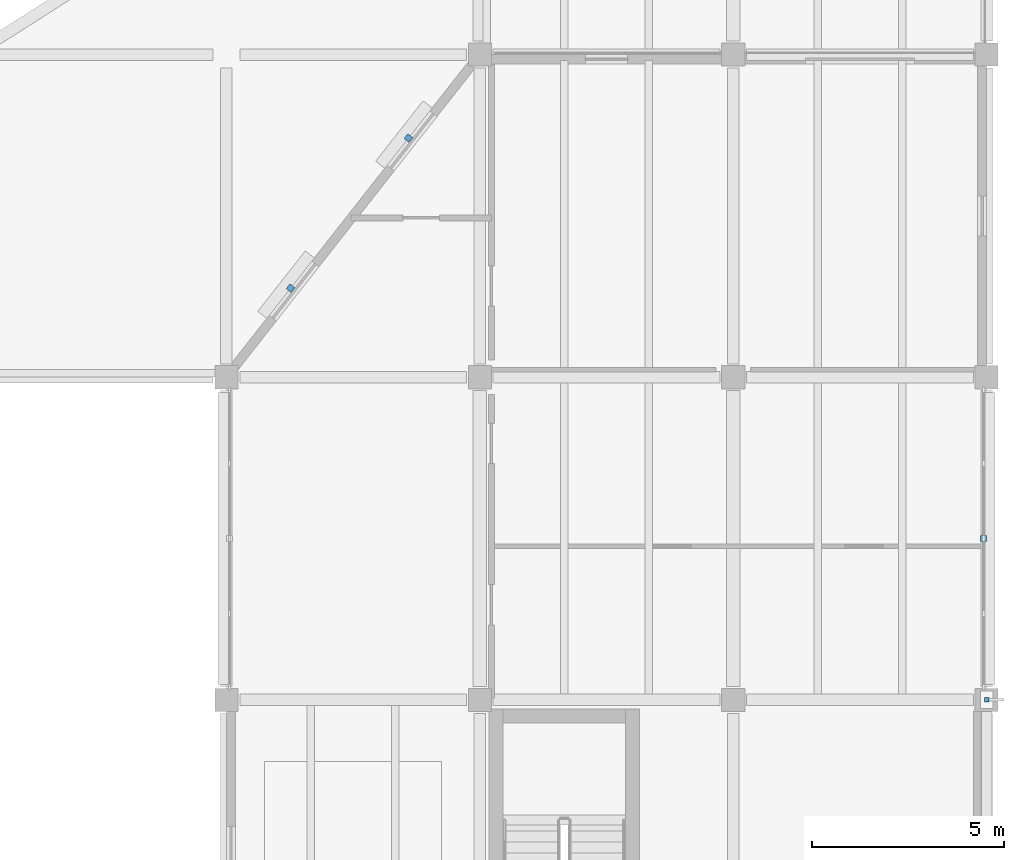
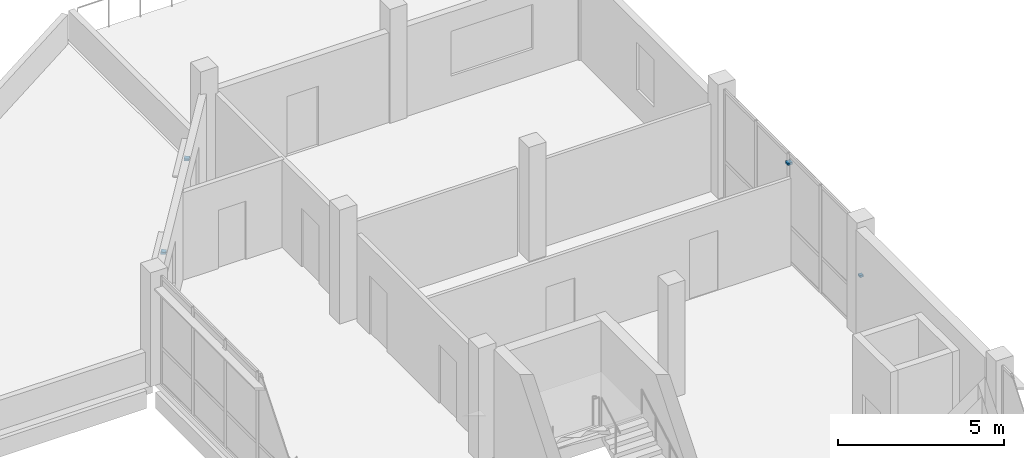
# One storey, part 10 of 12: 4 discrete accessories.
"""IFC4 building model written with IfcOpenShell, lengths in metres."""

from ifc_helpers import new_model, si_unit, direction, frame, origin, origin_2d, place, context, subcontext, project, spatial, rectangle, extrude, material, layer, layer_set, type_object, element, save


model = new_model("IFC4")

# Units and contexts
model_context = context("Model", 3, precision=1e-05, world=origin(), true_north=direction((0.0, 1.0)))
body_context = subcontext(model_context, "Body", "Model", "MODEL_VIEW")
ifc_project = project(units=[si_unit("LENGTHUNIT", "METRE"), si_unit("AREAUNIT", "SQUARE_METRE"), si_unit("VOLUMEUNIT", "CUBIC_METRE"), si_unit("PLANEANGLEUNIT", "RADIAN"), si_unit("MASSUNIT", "GRAM", prefix="KILO")], contexts=[model_context])

# Site, building, storey
site_placement = place(None, origin())
site = spatial("IfcSite", under=ifc_project, at=site_placement, CompositionType="ELEMENT")
building_placement = place(site_placement, origin())
building = spatial("IfcBuilding", under=site, at=building_placement, Name="Qaldarim Faculty of Natural and Applied Sciences", CompositionType="ELEMENT")
storey_placement = place(building_placement, frame((0.0, 0.0, 31.199951171875)))
storey = spatial("IfcBuildingStorey", under=building, at=storey_placement, Name="L07", CompositionType="ELEMENT", Elevation=31.199951171875)

# Discrete accessories
ifc_material = material(Name="Architectural stainless steel 316", Category="steel")
ifc_layer = layer(ifc_material, 0.080078125)
ifc_layer_set = layer_set([ifc_layer], Name="Architectural stainless steel 316")
discrete_accessory_type = type_object("IfcDiscreteAccessoryType", Name="FacadeBracket-SS120", PredefinedType="BRACKET", material=ifc_layer_set)
for number, where, z_axis, x_axis, name in (
    (1, (178.1201171875, 37.800048828125, 3.590087890625), (0.0, 0.0, 1.0), (0.0, 1.0, 0.0), "Solar louvre support bracket SHD-L07-E-X27Y05"),
    (2, (160.070068359375, 44.320068359375, 2.659912109375), (0.0, 0.0, 1.0), (0.617818442277, 0.786320782112, 0.0), "Oblique solar louvre bracket SHD-OBL-NW-L07-1"),
    (3, (163.139892578125, 48.22998046875, 2.659912109375), (0.0, 0.0, 1.0), (0.617818442277, 0.786320782112, 0.0), "Oblique solar louvre bracket SHD-OBL-NW-L07-2"),
):
    element("IfcDiscreteAccessory", number, at=place(storey_placement, frame(where, z_axis=z_axis, x_axis=x_axis)), inside=storey, type_object=discrete_accessory_type, Name=name, PredefinedType="BRACKET", context=body_context, shape_type="SweptSolid", body=[
        extrude(rectangle(XDim=0.159912109375, YDim=0.159912109375, at=origin_2d()), origin(), (0.0, 0.0, 1.0), 0.080078125),
    ])
discrete_accessory_placement = place(storey_placement, frame((178.199951171875, 33.60009765625, 1.949951171875), z_axis=(0.0, 0.0, 1.0), x_axis=(1.0, 0.0, 0.0)))
element("IfcDiscreteAccessory", 4, at=discrete_accessory_placement, inside=storey, type_object=discrete_accessory_type, Name="Tower fin bracket FIN-V5E-L07-Y05", PredefinedType="BRACKET", context=body_context, shape_type="SweptSolid", body=[
    extrude(rectangle(XDim=0.1201171875, YDim=0.1201171875, at=origin_2d()), origin(), (0.0, 0.0, 1.0), 0.080078125),
])

save(model, "model.ifc")
